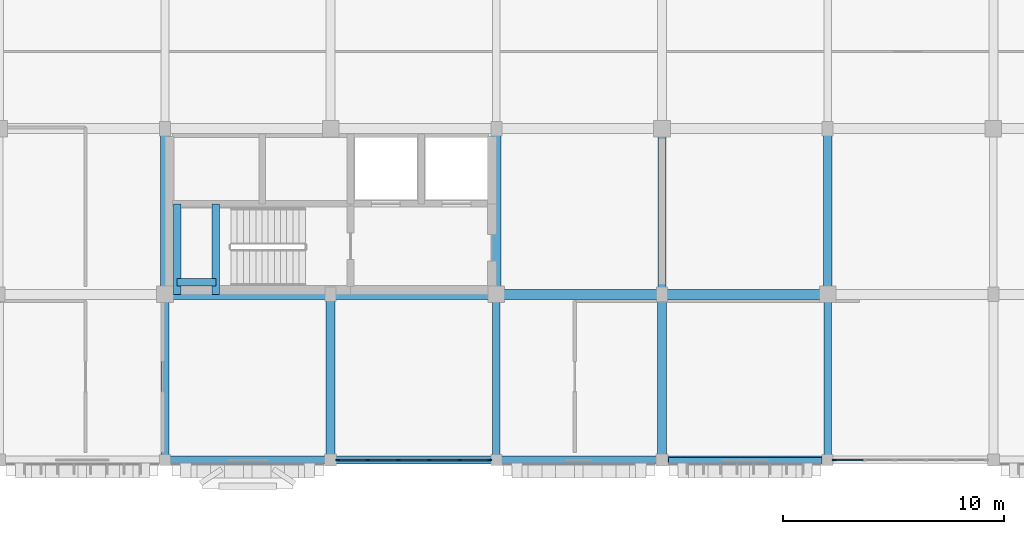
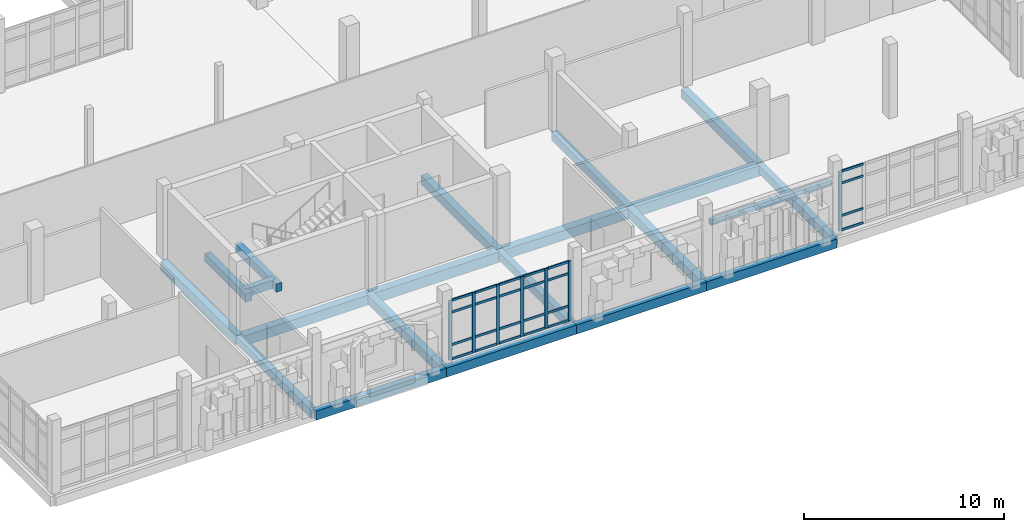
# One storey, part 57 of 128: 31 members, 21 beams, 2 elements without a shape of their own.
"""IFC4 building model written with IfcOpenShell, lengths in metres."""

from ifc_helpers import new_model, si_unit, direction, frame, origin, origin_2d, place, context, subcontext, project, spatial, rectangle, extrude, material, layer, layer_set, material_profile, profile_set, type_object, element, aggregate, save


model = new_model("IFC4")

# Units and contexts
model_context = context("Model", 3, precision=1e-05, world=origin(), true_north=direction((0.0, 1.0)))
body_context = subcontext(model_context, "Body", "Model", "MODEL_VIEW")
ifc_project = project(units=[si_unit("LENGTHUNIT", "METRE"), si_unit("AREAUNIT", "SQUARE_METRE"), si_unit("VOLUMEUNIT", "CUBIC_METRE"), si_unit("PLANEANGLEUNIT", "RADIAN"), si_unit("MASSUNIT", "GRAM", prefix="KILO")], contexts=[model_context])

# Site, building, storey
site_placement = place(None, origin())
site = spatial("IfcSite", under=ifc_project, at=site_placement, CompositionType="ELEMENT")
building_placement = place(site_placement, origin())
building = spatial("IfcBuilding", under=site, at=building_placement, Name="Dalvernix Boulevard General Hospital", CompositionType="ELEMENT")
storey_placement = place(building_placement, frame((0.0, 0.0, 4.800048828125)))
storey = spatial("IfcBuildingStorey", under=building, at=storey_placement, Name="L01", CompositionType="ELEMENT", Elevation=4.800048828125)

# Beams
ifc_material_1 = material(Name="Concrete C35/45", Category="concrete")
ifc_material_profile_1 = material_profile(ifc_material_1, rectangle(XDim=0.449951171875, YDim=0.64990234375, at=origin_2d()), Name="RCB 450x650")
ifc_profile_set_1 = profile_set([ifc_material_profile_1], Name="Concrete C35/45")
beam_type_1 = type_object("IfcBeamType", Name="BM-B-03-I", PredefinedType="BEAM", material=ifc_profile_set_1)
for number, where, z_axis, x_axis, name in (
    (1, (135.0, 7.5, -0.625), (1.0, 0.0, 0.0), (0.0, 1.0, 0.0), "L01 E-W girder B:19-20"),
    (2, (150.0, 7.5, -0.625), (1.0, 0.0, 0.0), (0.0, 1.0, 0.0), "L01 E-W girder B:21-22"),
):
    element("IfcBeam", number, at=place(storey_placement, frame(where, z_axis=z_axis, x_axis=x_axis)), inside=storey, type_object=beam_type_1, Name=name, PredefinedType="BEAM", context=body_context, shape_type="SweptSolid", body=[
        extrude(rectangle(XDim=0.449951171875, YDim=0.64990234375, at=origin_2d()), origin(), (0.0, 0.0, 1.0), 7.5),
    ])
ifc_material_profile_2 = material_profile(ifc_material_1, rectangle(XDim=0.449951171875, YDim=0.60009765625, at=origin_2d()), Name="RCB 450x600")
ifc_profile_set_2 = profile_set([ifc_material_profile_2], Name="Concrete C35/45")
beam_type_2 = type_object("IfcBeamType", Name="BM-B-04-I", PredefinedType="BEAM", material=ifc_profile_set_2)
for number, where, z_axis, x_axis, name in (
    (3, (127.5, 7.5, -0.60009765625), (1.0, 0.0, 0.0), (0.0, 1.0, 0.0), "L01 E-W girder B:18-19"),
    (4, (142.5, 7.5, -0.60009765625), (1.0, 0.0, 0.0), (0.0, 1.0, 0.0), "L01 E-W girder B:20-21"),
):
    element("IfcBeam", number, at=place(storey_placement, frame(where, z_axis=z_axis, x_axis=x_axis)), inside=storey, type_object=beam_type_2, Name=name, PredefinedType="BEAM", context=body_context, shape_type="SweptSolid", body=[
        extrude(rectangle(XDim=0.449951171875, YDim=0.60009765625, at=origin_2d()), origin(), (0.0, 0.0, 1.0), 7.5),
    ])
ifc_material_profile_3 = material_profile(ifc_material_1, rectangle(XDim=0.39990234375, YDim=0.550048828125, at=origin_2d()), Name="RCB 400x550")
ifc_profile_set_3 = profile_set([ifc_material_profile_3], Name="Concrete C35/45")
beam_type_3 = type_object("IfcBeamType", Name="BM-B-06-I", PredefinedType="BEAM", material=ifc_profile_set_3)
for number, where, z_axis, x_axis, name in (
    (5, (127.5, 7.5, -0.574951171875), (0.0, 1.0, 0.0), (-1.0, 0.0, 0.0), "L01 N-S girder 18:B-C"),
    (6, (135.0, 0.0, -0.574951171875), (0.0, 1.0, 0.0), (-1.0, 0.0, 0.0), "L01 N-S girder 19:A-B"),
    (7, (142.5, 7.5, -0.574951171875), (0.0, 1.0, 0.0), (-1.0, 0.0, 0.0), "L01 N-S girder 20:B-C"),
    (8, (150.0, 0.0, -0.574951171875), (0.0, 1.0, 0.0), (-1.0, 0.0, 0.0), "L01 N-S girder 21:A-B"),
    (9, (157.5, 7.5, -0.574951171875), (0.0, 1.0, 0.0), (-1.0, 0.0, 0.0), "L01 N-S girder 22:B-C"),
):
    element("IfcBeam", number, at=place(storey_placement, frame(where, z_axis=z_axis, x_axis=x_axis)), inside=storey, type_object=beam_type_3, Name=name, PredefinedType="BEAM", context=body_context, shape_type="SweptSolid", body=[
        extrude(rectangle(XDim=0.39990234375, YDim=0.550048828125, at=origin_2d()), origin(), (0.0, 0.0, 1.0), 7.5),
    ])
ifc_material_profile_4 = material_profile(ifc_material_1, rectangle(XDim=0.35009765625, YDim=0.5, at=origin_2d()), Name="RCB 350x500")
ifc_profile_set_4 = profile_set([ifc_material_profile_4], Name="Concrete C35/45")
beam_type_4 = type_object("IfcBeamType", Name="BM-B-08", PredefinedType="BEAM", material=ifc_profile_set_4)
for number, where, z_axis, x_axis, name in (
    (10, (128.050048828125, 7.5, 1.800048828125), (0.0, 1.0, 0.0), (-1.0, 0.0, 0.0), "L01 C5 stair half-landing beam 1"),
    (11, (129.800048828125, 7.5, 1.800048828125), (0.0, 1.0, 0.0), (-1.0, 0.0, 0.0), "L01 C5 stair half-landing beam 2"),
):
    element("IfcBeam", number, at=place(storey_placement, frame(where, z_axis=z_axis, x_axis=x_axis)), inside=storey, type_object=beam_type_4, Name=name, PredefinedType="BEAM", context=body_context, shape_type="SweptSolid", body=[
        extrude(rectangle(XDim=0.35009765625, YDim=0.5, at=origin_2d()), origin(), (0.0, 0.0, 1.0), 4.10009765625),
    ])
beam_1_placement = place(storey_placement, frame((128.050048828125, 8.050048828125, 1.800048828125), z_axis=(1.0, 0.0, 0.0), x_axis=(0.0, 1.0, 0.0)))
element("IfcBeam", 12, at=beam_1_placement, inside=storey, type_object=beam_type_4, Name="L01 C5 stair half-landing tie beam", PredefinedType="BEAM", context=body_context, shape_type="SweptSolid", body=[
    extrude(rectangle(XDim=0.35009765625, YDim=0.5, at=origin_2d()), origin(), (0.0, 0.0, 1.0), 1.75),
])
ifc_material_profile_5 = material_profile(ifc_material_1, rectangle(XDim=0.35009765625, YDim=0.5, at=origin_2d()), Name="RCB 350x500")
ifc_profile_set_5 = profile_set([ifc_material_profile_5], Name="Concrete C35/45")
beam_type_5 = type_object("IfcBeamType", Name="BM-B-08-I", PredefinedType="BEAM", material=ifc_profile_set_5)
for number, where, z_axis, x_axis, name in (
    (13, (127.5, 0.0, -0.550048828125), (0.0, 1.0, 0.0), (-1.0, 0.0, 0.0), "L01 N-S girder 18:A-B"),
    (14, (142.5, 0.0, -0.550048828125), (0.0, 1.0, 0.0), (-1.0, 0.0, 0.0), "L01 N-S girder 20:A-B"),
    (15, (150.0, 7.5, -0.550048828125), (0.0, 1.0, 0.0), (-1.0, 0.0, 0.0), "L01 N-S girder 21:B-C"),
    (16, (157.5, 0.0, -0.550048828125), (0.0, 1.0, 0.0), (-1.0, 0.0, 0.0), "L01 N-S girder 22:A-B"),
):
    element("IfcBeam", number, at=place(storey_placement, frame(where, z_axis=z_axis, x_axis=x_axis)), inside=storey, type_object=beam_type_5, Name=name, PredefinedType="BEAM", context=body_context, shape_type="SweptSolid", body=[
        extrude(rectangle(XDim=0.35009765625, YDim=0.5, at=origin_2d()), origin(), (0.0, 0.0, 1.0), 7.5),
    ])
ifc_material_2 = material(Name="Precast concrete C40/50", Category="concrete")
ifc_material_profile_6 = material_profile(ifc_material_2, rectangle(XDim=0.25, YDim=0.320068359375, at=origin_2d()), Name="RCL 250x320")
ifc_profile_set_6 = profile_set([ifc_material_profile_6], Name="Precast concrete C40/50")
beam_type_6 = type_object("IfcBeamType", Name="BM-LB-01", PredefinedType="LINTEL", material=ifc_profile_set_6)
beam_2_placement = place(storey_placement, frame((157.239990234375, 0.0, 3.159912109375), z_axis=(-1.0, 0.0, 0.0), x_axis=(0.0, -1.0, 0.0)))
element("IfcBeam", 17, at=beam_2_placement, inside=storey, type_object=beam_type_6, Name="L01 precast window lintel S 20-0", PredefinedType="LINTEL", context=body_context, shape_type="SweptSolid", body=[
    extrude(rectangle(XDim=0.25, YDim=0.320068359375, at=origin_2d()), origin(), (0.0, 0.0, 1.0), 6.955078125),
])
ifc_material_profile_7 = material_profile(ifc_material_1, rectangle(XDim=0.35009765625, YDim=0.550048828125, at=origin_2d()), Name="RCB 350x550")
ifc_profile_set_7 = profile_set([ifc_material_profile_7], Name="Concrete C35/45")
beam_type_7 = type_object("IfcBeamType", Name="BM-SB-01-E", PredefinedType="SPANDREL", material=ifc_profile_set_7)
for number, where, z_axis, x_axis, name in (
    (18, (127.5, 0.0, -0.574951171875), (1.0, 0.0, 0.0), (0.0, 1.0, 0.0), "L01 E-W girder A:18-19"),
    (19, (135.0, 0.0, -0.574951171875), (1.0, 0.0, 0.0), (0.0, 1.0, 0.0), "L01 E-W girder A:19-20"),
    (20, (142.5, 0.0, -0.574951171875), (1.0, 0.0, 0.0), (0.0, 1.0, 0.0), "L01 E-W girder A:20-21"),
    (21, (150.0, 0.0, -0.574951171875), (1.0, 0.0, 0.0), (0.0, 1.0, 0.0), "L01 E-W girder A:21-22"),
):
    element("IfcBeam", number, at=place(storey_placement, frame(where, z_axis=z_axis, x_axis=x_axis)), inside=storey, type_object=beam_type_7, Name=name, PredefinedType="SPANDREL", context=body_context, shape_type="SweptSolid", body=[
        extrude(rectangle(XDim=0.35009765625, YDim=0.550048828125, at=origin_2d()), origin(), (0.0, 0.0, 1.0), 7.5),
    ])

# Curtain wall, members
ifc_material_3 = material(Name="Thermally broken aluminium and solar-control glass curtain wall", Category="aluminium")
ifc_layer = layer(ifc_material_3, 0.179931640625)
ifc_layer_set = layer_set([ifc_layer], Name="Thermally broken aluminium and solar-control glass curtain wall (CW-CW-B-70x36)")
curtain_wall_type = type_object("IfcCurtainWallType", Name="CW-CW-B-70x36", PredefinedType="USERDEFINED", material=ifc_layer_set)
curtain_wall_1_placement = place(storey_placement, origin())
curtain_wall_1 = element("IfcCurtainWall", 22, at=curtain_wall_1_placement, inside=storey, type_object=curtain_wall_type, Name="L01 curtain wall CW-B-70x36 18-0", ObjectType="GLAZED FACADE", PredefinedType="USERDEFINED")
ifc_material_4 = material(Name="Aluminium EN AW-6060", Category="aluminium")
ifc_material_profile_8 = material_profile(ifc_material_4, rectangle(XDim=0.06494140625, YDim=0.179931640625, at=origin_2d()), Name="ALU MULL 65x180")
ifc_profile_set_8 = profile_set([ifc_material_profile_8], Name="Aluminium EN AW-6060")
member_type_1 = type_object("IfcMemberType", Name="MEM-CW-M2", PredefinedType="MULLION", material=ifc_profile_set_8)
member_1_placement = place(storey_placement, frame((142.20751953125, 0.0, 0.0), z_axis=(0.0, 0.0, 1.0), x_axis=(0.0, -1.0, 0.0)))
member_1 = element("IfcMember", 23, at=member_1_placement, type_object=member_type_1, Name="CW-B-70x36 mullion 1", PredefinedType="MULLION", context=body_context, shape_type="SweptSolid", body=[
    extrude(rectangle(XDim=0.06494140625, YDim=0.179931640625, at=origin_2d()), origin(), (0.0, 0.0, 1.0), 3.6298828125),
])
member_2_placement = place(storey_placement, frame((140.84912109375, 0.0, 0.0), z_axis=(0.0, 0.0, 1.0), x_axis=(0.0, -1.0, 0.0)))
member_2 = element("IfcMember", 24, at=member_2_placement, type_object=member_type_1, Name="CW-B-70x36 mullion 2", PredefinedType="MULLION", context=body_context, shape_type="SweptSolid", body=[
    extrude(rectangle(XDim=0.06494140625, YDim=0.179931640625, at=origin_2d()), origin(), (0.0, 0.0, 1.0), 3.6298828125),
])
member_3_placement = place(storey_placement, frame((139.4580078125, 0.0, 0.0), z_axis=(0.0, 0.0, 1.0), x_axis=(0.0, -1.0, 0.0)))
member_3 = element("IfcMember", 25, at=member_3_placement, type_object=member_type_1, Name="CW-B-70x36 mullion 3", PredefinedType="MULLION", context=body_context, shape_type="SweptSolid", body=[
    extrude(rectangle(XDim=0.06494140625, YDim=0.179931640625, at=origin_2d()), origin(), (0.0, 0.0, 1.0), 3.6298828125),
])
member_4_placement = place(storey_placement, frame((138.06689453125, 0.0, 0.0), z_axis=(0.0, 0.0, 1.0), x_axis=(0.0, -1.0, 0.0)))
member_4 = element("IfcMember", 26, at=member_4_placement, type_object=member_type_1, Name="CW-B-70x36 mullion 4", PredefinedType="MULLION", context=body_context, shape_type="SweptSolid", body=[
    extrude(rectangle(XDim=0.06494140625, YDim=0.179931640625, at=origin_2d()), origin(), (0.0, 0.0, 1.0), 3.6298828125),
])
member_5_placement = place(storey_placement, frame((136.676025390625, 0.0, 0.0), z_axis=(0.0, 0.0, 1.0), x_axis=(0.0, -1.0, 0.0)))
member_5 = element("IfcMember", 27, at=member_5_placement, type_object=member_type_1, Name="CW-B-70x36 mullion 5", PredefinedType="MULLION", context=body_context, shape_type="SweptSolid", body=[
    extrude(rectangle(XDim=0.06494140625, YDim=0.179931640625, at=origin_2d()), origin(), (0.0, 0.0, 1.0), 3.6298828125),
])
member_6_placement = place(storey_placement, frame((135.3173828125, 0.0, 0.0), z_axis=(0.0, 0.0, 1.0), x_axis=(0.0, -1.0, 0.0)))
member_6 = element("IfcMember", 28, at=member_6_placement, type_object=member_type_1, Name="CW-B-70x36 mullion 6", PredefinedType="MULLION", context=body_context, shape_type="SweptSolid", body=[
    extrude(rectangle(XDim=0.06494140625, YDim=0.179931640625, at=origin_2d()), origin(), (0.0, 0.0, 1.0), 3.6298828125),
])

# Curtain wall, member
curtain_wall_2_placement = place(storey_placement, origin())
curtain_wall_2 = element("IfcCurtainWall", 29, at=curtain_wall_2_placement, inside=storey, type_object=curtain_wall_type, Name="L01 curtain wall CW-B-70x36 21-0", ObjectType="GLAZED FACADE", PredefinedType="USERDEFINED")
member_7_placement = place(storey_placement, frame((157.79248046875, 0.0, 0.0), z_axis=(0.0, 0.0, 1.0), x_axis=(0.0, -1.0, 0.0)))
member_7 = element("IfcMember", 30, at=member_7_placement, type_object=member_type_1, Name="CW-B-70x36 mullion 6", PredefinedType="MULLION", context=body_context, shape_type="SweptSolid", body=[
    extrude(rectangle(XDim=0.06494140625, YDim=0.179931640625, at=origin_2d()), origin(), (0.0, 0.0, 1.0), 3.6298828125),
])

# Member
ifc_material_profile_9 = material_profile(ifc_material_4, rectangle(XDim=0.06494140625, YDim=0.139892578125, at=origin_2d()), Name="ALU TRAN 65x140")
ifc_profile_set_9 = profile_set([ifc_material_profile_9], Name="Aluminium EN AW-6060")
member_type_2 = type_object("IfcMemberType", Name="MEM-CW-T2", PredefinedType="USERDEFINED", material=ifc_profile_set_9)
member_8_placement = place(storey_placement, frame((142.175048828125, 0.0, 0.032470703125), z_axis=(-1.0, 0.0, 0.0), x_axis=(0.0, -1.0, 0.0)))
member_8 = element("IfcMember", 31, at=member_8_placement, type_object=member_type_2, Name="CW-B-70x36 transom 1.1", ObjectType="TRANSOM", PredefinedType="USERDEFINED", context=body_context, shape_type="SweptSolid", body=[
    extrude(rectangle(XDim=0.06494140625, YDim=0.139892578125, at=origin_2d()), origin(), (0.0, 0.0, 1.0), 1.29345703125),
])

member_9_placement = place(storey_placement, frame((142.175048828125, 0.0, 0.89990234375), z_axis=(-1.0, 0.0, 0.0), x_axis=(0.0, -1.0, 0.0)))
member_9 = element("IfcMember", 32, at=member_9_placement, type_object=member_type_2, Name="CW-B-70x36 transom 1.2", ObjectType="TRANSOM", PredefinedType="USERDEFINED", context=body_context, shape_type="SweptSolid", body=[
    extrude(rectangle(XDim=0.06494140625, YDim=0.139892578125, at=origin_2d()), origin(), (0.0, 0.0, 1.0), 1.29345703125),
])

member_10_placement = place(storey_placement, frame((142.175048828125, 0.0, 2.8798828125), z_axis=(-1.0, 0.0, 0.0), x_axis=(0.0, -1.0, 0.0)))
member_10 = element("IfcMember", 33, at=member_10_placement, type_object=member_type_2, Name="CW-B-70x36 transom 1.3", ObjectType="TRANSOM", PredefinedType="USERDEFINED", context=body_context, shape_type="SweptSolid", body=[
    extrude(rectangle(XDim=0.06494140625, YDim=0.139892578125, at=origin_2d()), origin(), (0.0, 0.0, 1.0), 1.29345703125),
])

member_11_placement = place(storey_placement, frame((142.175048828125, 0.0, 3.597412109375), z_axis=(-1.0, 0.0, 0.0), x_axis=(0.0, -1.0, 0.0)))
member_11 = element("IfcMember", 34, at=member_11_placement, type_object=member_type_2, Name="CW-B-70x36 transom 1.4", ObjectType="TRANSOM", PredefinedType="USERDEFINED", context=body_context, shape_type="SweptSolid", body=[
    extrude(rectangle(XDim=0.06494140625, YDim=0.139892578125, at=origin_2d()), origin(), (0.0, 0.0, 1.0), 1.29345703125),
])

member_12_placement = place(storey_placement, frame((140.81640625, 0.0, 0.032470703125), z_axis=(-1.0, 0.0, 0.0), x_axis=(0.0, -1.0, 0.0)))
member_12 = element("IfcMember", 35, at=member_12_placement, type_object=member_type_2, Name="CW-B-70x36 transom 2.1", ObjectType="TRANSOM", PredefinedType="USERDEFINED", context=body_context, shape_type="SweptSolid", body=[
    extrude(rectangle(XDim=0.06494140625, YDim=0.139892578125, at=origin_2d()), origin(), (0.0, 0.0, 1.0), 1.325927734375),
])

member_13_placement = place(storey_placement, frame((140.81640625, 0.0, 0.89990234375), z_axis=(-1.0, 0.0, 0.0), x_axis=(0.0, -1.0, 0.0)))
member_13 = element("IfcMember", 36, at=member_13_placement, type_object=member_type_2, Name="CW-B-70x36 transom 2.2", ObjectType="TRANSOM", PredefinedType="USERDEFINED", context=body_context, shape_type="SweptSolid", body=[
    extrude(rectangle(XDim=0.06494140625, YDim=0.139892578125, at=origin_2d()), origin(), (0.0, 0.0, 1.0), 1.325927734375),
])

member_14_placement = place(storey_placement, frame((140.81640625, 0.0, 2.8798828125), z_axis=(-1.0, 0.0, 0.0), x_axis=(0.0, -1.0, 0.0)))
member_14 = element("IfcMember", 37, at=member_14_placement, type_object=member_type_2, Name="CW-B-70x36 transom 2.3", ObjectType="TRANSOM", PredefinedType="USERDEFINED", context=body_context, shape_type="SweptSolid", body=[
    extrude(rectangle(XDim=0.06494140625, YDim=0.139892578125, at=origin_2d()), origin(), (0.0, 0.0, 1.0), 1.325927734375),
])

member_15_placement = place(storey_placement, frame((140.81640625, 0.0, 3.597412109375), z_axis=(-1.0, 0.0, 0.0), x_axis=(0.0, -1.0, 0.0)))
member_15 = element("IfcMember", 38, at=member_15_placement, type_object=member_type_2, Name="CW-B-70x36 transom 2.4", ObjectType="TRANSOM", PredefinedType="USERDEFINED", context=body_context, shape_type="SweptSolid", body=[
    extrude(rectangle(XDim=0.06494140625, YDim=0.139892578125, at=origin_2d()), origin(), (0.0, 0.0, 1.0), 1.325927734375),
])

member_16_placement = place(storey_placement, frame((139.425537109375, 0.0, 0.032470703125), z_axis=(-1.0, 0.0, 0.0), x_axis=(0.0, -1.0, 0.0)))
member_16 = element("IfcMember", 39, at=member_16_placement, type_object=member_type_2, Name="CW-B-70x36 transom 3.1", ObjectType="TRANSOM", PredefinedType="USERDEFINED", context=body_context, shape_type="SweptSolid", body=[
    extrude(rectangle(XDim=0.06494140625, YDim=0.139892578125, at=origin_2d()), origin(), (0.0, 0.0, 1.0), 1.325927734375),
])

member_17_placement = place(storey_placement, frame((139.425537109375, 0.0, 0.89990234375), z_axis=(-1.0, 0.0, 0.0), x_axis=(0.0, -1.0, 0.0)))
member_17 = element("IfcMember", 40, at=member_17_placement, type_object=member_type_2, Name="CW-B-70x36 transom 3.2", ObjectType="TRANSOM", PredefinedType="USERDEFINED", context=body_context, shape_type="SweptSolid", body=[
    extrude(rectangle(XDim=0.06494140625, YDim=0.139892578125, at=origin_2d()), origin(), (0.0, 0.0, 1.0), 1.325927734375),
])

member_18_placement = place(storey_placement, frame((139.425537109375, 0.0, 2.8798828125), z_axis=(-1.0, 0.0, 0.0), x_axis=(0.0, -1.0, 0.0)))
member_18 = element("IfcMember", 41, at=member_18_placement, type_object=member_type_2, Name="CW-B-70x36 transom 3.3", ObjectType="TRANSOM", PredefinedType="USERDEFINED", context=body_context, shape_type="SweptSolid", body=[
    extrude(rectangle(XDim=0.06494140625, YDim=0.139892578125, at=origin_2d()), origin(), (0.0, 0.0, 1.0), 1.325927734375),
])

member_19_placement = place(storey_placement, frame((139.425537109375, 0.0, 3.597412109375), z_axis=(-1.0, 0.0, 0.0), x_axis=(0.0, -1.0, 0.0)))
member_19 = element("IfcMember", 42, at=member_19_placement, type_object=member_type_2, Name="CW-B-70x36 transom 3.4", ObjectType="TRANSOM", PredefinedType="USERDEFINED", context=body_context, shape_type="SweptSolid", body=[
    extrude(rectangle(XDim=0.06494140625, YDim=0.139892578125, at=origin_2d()), origin(), (0.0, 0.0, 1.0), 1.325927734375),
])

member_20_placement = place(storey_placement, frame((138.034423828125, 0.0, 0.032470703125), z_axis=(-1.0, 0.0, 0.0), x_axis=(0.0, -1.0, 0.0)))
member_20 = element("IfcMember", 43, at=member_20_placement, type_object=member_type_2, Name="CW-B-70x36 transom 4.1", ObjectType="TRANSOM", PredefinedType="USERDEFINED", context=body_context, shape_type="SweptSolid", body=[
    extrude(rectangle(XDim=0.06494140625, YDim=0.139892578125, at=origin_2d()), origin(), (0.0, 0.0, 1.0), 1.325927734375),
])

member_21_placement = place(storey_placement, frame((138.034423828125, 0.0, 0.89990234375), z_axis=(-1.0, 0.0, 0.0), x_axis=(0.0, -1.0, 0.0)))
member_21 = element("IfcMember", 44, at=member_21_placement, type_object=member_type_2, Name="CW-B-70x36 transom 4.2", ObjectType="TRANSOM", PredefinedType="USERDEFINED", context=body_context, shape_type="SweptSolid", body=[
    extrude(rectangle(XDim=0.06494140625, YDim=0.139892578125, at=origin_2d()), origin(), (0.0, 0.0, 1.0), 1.325927734375),
])

member_22_placement = place(storey_placement, frame((138.034423828125, 0.0, 2.8798828125), z_axis=(-1.0, 0.0, 0.0), x_axis=(0.0, -1.0, 0.0)))
member_22 = element("IfcMember", 45, at=member_22_placement, type_object=member_type_2, Name="CW-B-70x36 transom 4.3", ObjectType="TRANSOM", PredefinedType="USERDEFINED", context=body_context, shape_type="SweptSolid", body=[
    extrude(rectangle(XDim=0.06494140625, YDim=0.139892578125, at=origin_2d()), origin(), (0.0, 0.0, 1.0), 1.325927734375),
])

member_23_placement = place(storey_placement, frame((138.034423828125, 0.0, 3.597412109375), z_axis=(-1.0, 0.0, 0.0), x_axis=(0.0, -1.0, 0.0)))
member_23 = element("IfcMember", 46, at=member_23_placement, type_object=member_type_2, Name="CW-B-70x36 transom 4.4", ObjectType="TRANSOM", PredefinedType="USERDEFINED", context=body_context, shape_type="SweptSolid", body=[
    extrude(rectangle(XDim=0.06494140625, YDim=0.139892578125, at=origin_2d()), origin(), (0.0, 0.0, 1.0), 1.325927734375),
])

member_24_placement = place(storey_placement, frame((136.6435546875, 0.0, 0.032470703125), z_axis=(-1.0, 0.0, 0.0), x_axis=(0.0, -1.0, 0.0)))
member_24 = element("IfcMember", 47, at=member_24_placement, type_object=member_type_2, Name="CW-B-70x36 transom 5.1", ObjectType="TRANSOM", PredefinedType="USERDEFINED", context=body_context, shape_type="SweptSolid", body=[
    extrude(rectangle(XDim=0.06494140625, YDim=0.139892578125, at=origin_2d()), origin(), (0.0, 0.0, 1.0), 1.29345703125),
])

member_25_placement = place(storey_placement, frame((136.6435546875, 0.0, 0.89990234375), z_axis=(-1.0, 0.0, 0.0), x_axis=(0.0, -1.0, 0.0)))
member_25 = element("IfcMember", 48, at=member_25_placement, type_object=member_type_2, Name="CW-B-70x36 transom 5.2", ObjectType="TRANSOM", PredefinedType="USERDEFINED", context=body_context, shape_type="SweptSolid", body=[
    extrude(rectangle(XDim=0.06494140625, YDim=0.139892578125, at=origin_2d()), origin(), (0.0, 0.0, 1.0), 1.29345703125),
])

member_26_placement = place(storey_placement, frame((136.6435546875, 0.0, 2.8798828125), z_axis=(-1.0, 0.0, 0.0), x_axis=(0.0, -1.0, 0.0)))
member_26 = element("IfcMember", 49, at=member_26_placement, type_object=member_type_2, Name="CW-B-70x36 transom 5.3", ObjectType="TRANSOM", PredefinedType="USERDEFINED", context=body_context, shape_type="SweptSolid", body=[
    extrude(rectangle(XDim=0.06494140625, YDim=0.139892578125, at=origin_2d()), origin(), (0.0, 0.0, 1.0), 1.29345703125),
])

member_27_placement = place(storey_placement, frame((136.6435546875, 0.0, 3.597412109375), z_axis=(-1.0, 0.0, 0.0), x_axis=(0.0, -1.0, 0.0)))
member_27 = element("IfcMember", 50, at=member_27_placement, type_object=member_type_2, Name="CW-B-70x36 transom 5.4", ObjectType="TRANSOM", PredefinedType="USERDEFINED", context=body_context, shape_type="SweptSolid", body=[
    extrude(rectangle(XDim=0.06494140625, YDim=0.139892578125, at=origin_2d()), origin(), (0.0, 0.0, 1.0), 1.29345703125),
])

aggregate(curtain_wall_1, [member_1, member_2, member_3, member_4, member_5, member_6, member_8, member_9, member_10, member_11, member_12, member_13, member_14, member_15, member_16, member_17, member_18, member_19, member_20, member_21, member_22, member_23, member_24, member_25, member_26, member_27])

member_28_placement = place(storey_placement, frame((159.118408203125, 0.0, 0.032470703125), z_axis=(-1.0, 0.0, 0.0), x_axis=(0.0, -1.0, 0.0)))
member_28 = element("IfcMember", 51, at=member_28_placement, type_object=member_type_2, Name="CW-B-70x36 transom 5.1", ObjectType="TRANSOM", PredefinedType="USERDEFINED", context=body_context, shape_type="SweptSolid", body=[
    extrude(rectangle(XDim=0.06494140625, YDim=0.139892578125, at=origin_2d()), origin(), (0.0, 0.0, 1.0), 1.29345703125),
])

member_29_placement = place(storey_placement, frame((159.118408203125, 0.0, 0.89990234375), z_axis=(-1.0, 0.0, 0.0), x_axis=(0.0, -1.0, 0.0)))
member_29 = element("IfcMember", 52, at=member_29_placement, type_object=member_type_2, Name="CW-B-70x36 transom 5.2", ObjectType="TRANSOM", PredefinedType="USERDEFINED", context=body_context, shape_type="SweptSolid", body=[
    extrude(rectangle(XDim=0.06494140625, YDim=0.139892578125, at=origin_2d()), origin(), (0.0, 0.0, 1.0), 1.29345703125),
])

member_30_placement = place(storey_placement, frame((159.118408203125, 0.0, 2.8798828125), z_axis=(-1.0, 0.0, 0.0), x_axis=(0.0, -1.0, 0.0)))
member_30 = element("IfcMember", 53, at=member_30_placement, type_object=member_type_2, Name="CW-B-70x36 transom 5.3", ObjectType="TRANSOM", PredefinedType="USERDEFINED", context=body_context, shape_type="SweptSolid", body=[
    extrude(rectangle(XDim=0.06494140625, YDim=0.139892578125, at=origin_2d()), origin(), (0.0, 0.0, 1.0), 1.29345703125),
])

member_31_placement = place(storey_placement, frame((159.118408203125, 0.0, 3.597412109375), z_axis=(-1.0, 0.0, 0.0), x_axis=(0.0, -1.0, 0.0)))
member_31 = element("IfcMember", 54, at=member_31_placement, type_object=member_type_2, Name="CW-B-70x36 transom 5.4", ObjectType="TRANSOM", PredefinedType="USERDEFINED", context=body_context, shape_type="SweptSolid", body=[
    extrude(rectangle(XDim=0.06494140625, YDim=0.139892578125, at=origin_2d()), origin(), (0.0, 0.0, 1.0), 1.29345703125),
])

aggregate(curtain_wall_2, [member_7, member_28, member_29, member_30, member_31])

save(model, "model.ifc")
